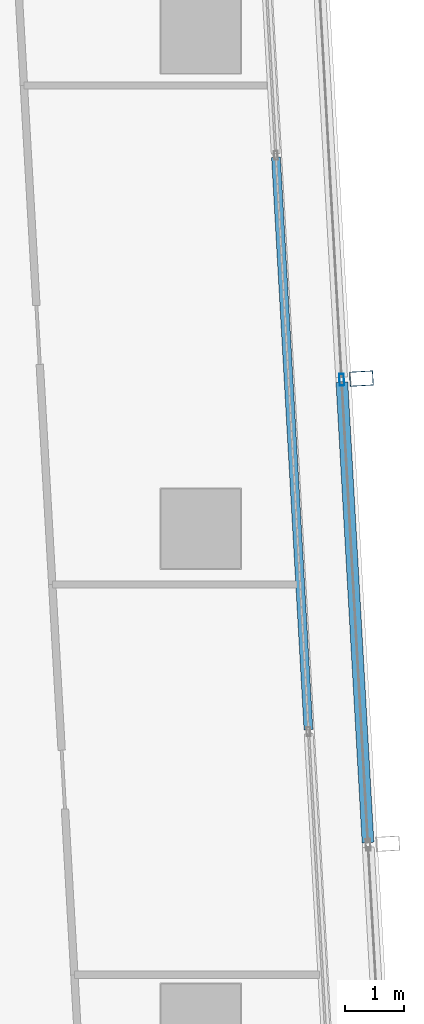
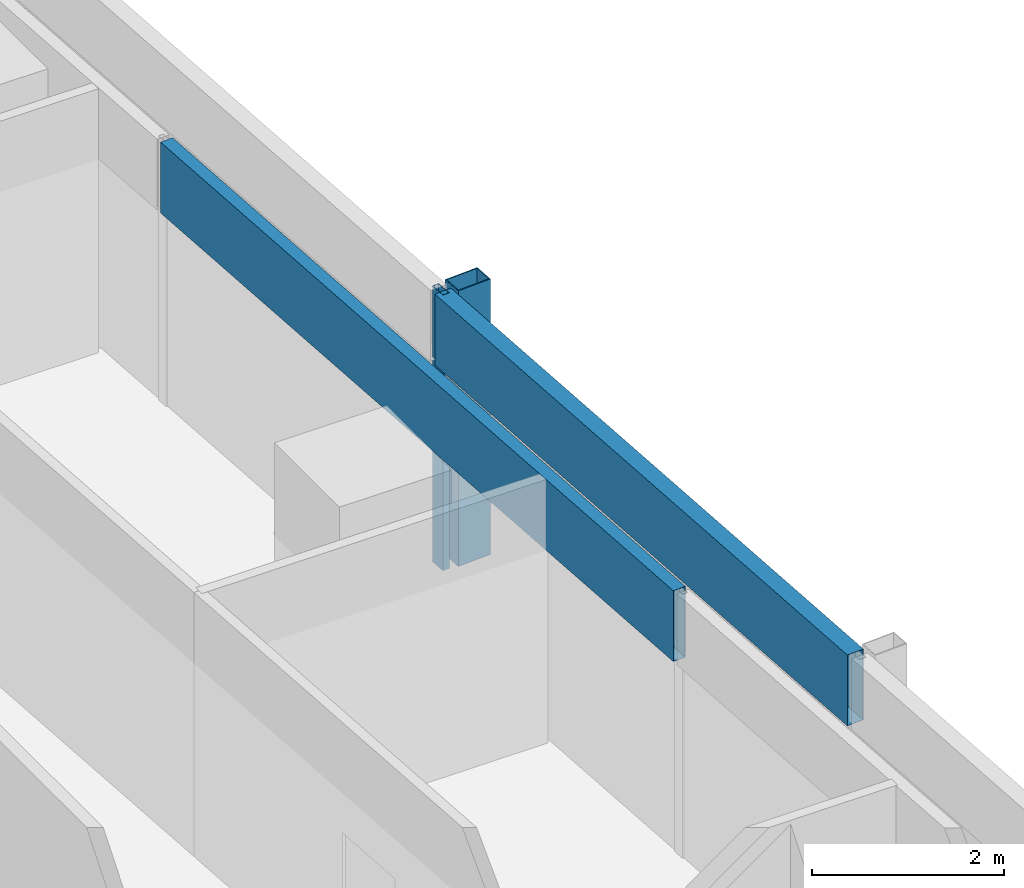
# One storey, part 15 of 38: 4 members, 2 elements without a shape of their own.
"""IFC4 building model written with IfcOpenShell, lengths in metres."""

from ifc_helpers import new_model, si_unit, direction, frame, origin, origin_2d, place, context, subcontext, project, spatial, hollow_rectangle, extrude, material, material_profile, profile_set, type_object, element, aggregate, save


model = new_model("IFC4")

# Units and contexts
model_context = context("Model", 3, precision=1e-05, world=origin(), true_north=direction((0.0, 1.0)))
body_context = subcontext(model_context, "Body", "Model", "MODEL_VIEW")
ifc_project = project(units=[si_unit("LENGTHUNIT", "METRE"), si_unit("AREAUNIT", "SQUARE_METRE"), si_unit("VOLUMEUNIT", "CUBIC_METRE"), si_unit("PLANEANGLEUNIT", "RADIAN"), si_unit("MASSUNIT", "GRAM", prefix="KILO")], contexts=[model_context])

# Site, building, storey
site_placement = place(None, origin())
site = spatial("IfcSite", under=ifc_project, at=site_placement, CompositionType="ELEMENT")
building_placement = place(site_placement, origin())
building = spatial("IfcBuilding", under=site, at=building_placement, Name="Rekha Terrace Tower", CompositionType="ELEMENT")
storey_placement = place(building_placement, frame((0.0, 0.0, 198.949951171875)))
storey = spatial("IfcBuildingStorey", under=building, at=storey_placement, Name="L50", CompositionType="ELEMENT", Elevation=198.949951171875)

# Curtain wall, member
ifc_material_1 = material(Name="Aluminium framing", Category="aluminium")
curtain_wall_type_1 = type_object("IfcCurtainWallType", Name="CW2 double skin outer glazing", PredefinedType="USERDEFINED", material=ifc_material_1)
curtain_wall_1_placement = place(storey_placement, origin())
curtain_wall_1 = element("IfcCurtainWall", 1, at=curtain_wall_1_placement, inside=storey, type_object=curtain_wall_type_1, Name="CW2 double skin outer glazing", ObjectType="DOUBLE SKIN OUTER GLAZING", PredefinedType="USERDEFINED")
ifc_material_2 = material(Name="Steel S355 with fluorocarbon finish", Category="steel")
ifc_material_profile_1 = material_profile(ifc_material_2, hollow_rectangle(XDim=0.25, YDim=0.39990234375, WallThickness=0.012451171875, at=origin_2d()), Name="RHS400x250x12.5")
ifc_profile_set_1 = profile_set([ifc_material_profile_1], Name="Steel S355 with fluorocarbon finish")
member_type_1 = type_object("IfcMemberType", Name="BL1 facade blade RHS 400 x 250", PredefinedType="USERDEFINED", material=ifc_profile_set_1)
member_1_placement = place(storey_placement, frame((61.528076171875, 44.546630859375, 0.0), z_axis=(0.0, 0.0, 1.0), x_axis=(-0.056673619809, 0.998392758797, 0.0)))
member_1 = element("IfcMember", 2, at=member_1_placement, type_object=member_type_1, Name="Facade blade", ObjectType="FACADE BLADE", PredefinedType="USERDEFINED", context=body_context, shape_type="SweptSolid", body=[
    extrude(hollow_rectangle(XDim=0.25, YDim=0.39990234375, WallThickness=0.012451171875, at=origin_2d()), origin(), (0.0, 0.0, 1.0), 3.5),
])

curtain_wall_type_2 = type_object("IfcCurtainWallType", Name="CW1 double skin inner glazing", PredefinedType="USERDEFINED", material=ifc_material_1)
curtain_wall_2_placement = place(storey_placement, origin())
curtain_wall_2 = element("IfcCurtainWall", 3, at=curtain_wall_2_placement, inside=storey, type_object=curtain_wall_type_2, Name="CW1 double skin inner glazing", ObjectType="DOUBLE SKIN INNER GLAZING", PredefinedType="USERDEFINED")
ifc_material_3 = material(Name="Insulated aluminium spandrel box", Category="aluminium")
ifc_material_profile_2 = material_profile(ifc_material_3, hollow_rectangle(XDim=0.14990234375, YDim=0.89990234375, WallThickness=0.0029296875, at=origin_2d()), Name="AL SPANDREL BOX 150x900")
ifc_profile_set_2 = profile_set([ifc_material_profile_2], Name="Insulated aluminium spandrel box")
member_type_2 = type_object("IfcMemberType", Name="CW1 spandrel transom 150 x 900", PredefinedType="USERDEFINED", material=ifc_profile_set_2)
member_2_placement = place(storey_placement, frame((60.629150390625, 38.588134765625, 3.050048828125), z_axis=(-0.056650211304, 0.998394087302, 0.0), x_axis=(-0.998394087302, -0.056650211304, 0.0)))
member_2 = element("IfcMember", 4, at=member_2_placement, type_object=member_type_2, Name="CW1 spandrel transom 2", ObjectType="TRANSOM", PredefinedType="USERDEFINED", context=body_context, shape_type="SweptSolid", body=[
    extrude(hollow_rectangle(XDim=0.14990234375, YDim=0.89990234375, WallThickness=0.0029296875, at=origin_2d()), origin(), (0.0, 0.0, 1.0), 9.726806640625),
])
aggregate(curtain_wall_2, [member_2])

# Member
ifc_material_4 = material(Name="Aluminium mullion section", Category="aluminium")
ifc_material_profile_3 = material_profile(ifc_material_4, hollow_rectangle(XDim=0.080078125, YDim=0.199951171875, WallThickness=0.00390625, at=origin_2d()), Name="AL RHS 80x200")
ifc_profile_set_3 = profile_set([ifc_material_profile_3], Name="Aluminium mullion section")
member_type_3 = type_object("IfcMemberType", Name="CW2 mullion RHS 80 x 200", PredefinedType="MULLION", material=ifc_profile_set_3)
member_3_placement = place(storey_placement, frame((61.193603515625, 44.527587890625, 0.0), z_axis=(0.0, 0.0, 1.0), x_axis=(-0.998392782919, -0.05667319486, 0.0)))
member_3 = element("IfcMember", 5, at=member_3_placement, type_object=member_type_3, Name="CW2 mullion 3", PredefinedType="MULLION", context=body_context, shape_type="SweptSolid", body=[
    extrude(hollow_rectangle(XDim=0.080078125, YDim=0.199951171875, WallThickness=0.00390625, at=origin_2d()), origin(), (0.0, 0.0, 1.0), 3.5),
])

ifc_material_profile_4 = material_profile(ifc_material_3, hollow_rectangle(XDim=0.199951171875, YDim=0.89990234375, WallThickness=0.0029296875, at=origin_2d()), Name="AL SPANDREL BOX 200x900")
ifc_profile_set_4 = profile_set([ifc_material_profile_4], Name="Insulated aluminium spandrel box")
member_type_4 = type_object("IfcMemberType", Name="CW2 spandrel transom 200 x 900", PredefinedType="USERDEFINED", material=ifc_profile_set_4)
member_4_placement = place(storey_placement, frame((61.63916015625, 36.6767578125, 3.050048828125), z_axis=(-0.056669428082, 0.998392996731, 0.0), x_axis=(-0.998392996731, -0.056669428082, 0.0)))
member_4 = element("IfcMember", 6, at=member_4_placement, type_object=member_type_4, Name="CW2 spandrel transom 2", ObjectType="TRANSOM", PredefinedType="USERDEFINED", context=body_context, shape_type="SweptSolid", body=[
    extrude(hollow_rectangle(XDim=0.199951171875, YDim=0.89990234375, WallThickness=0.0029296875, at=origin_2d()), origin(), (0.0, 0.0, 1.0), 7.823486328125),
])

aggregate(curtain_wall_1, [member_3, member_4, member_1])

save(model, "model.ifc")
